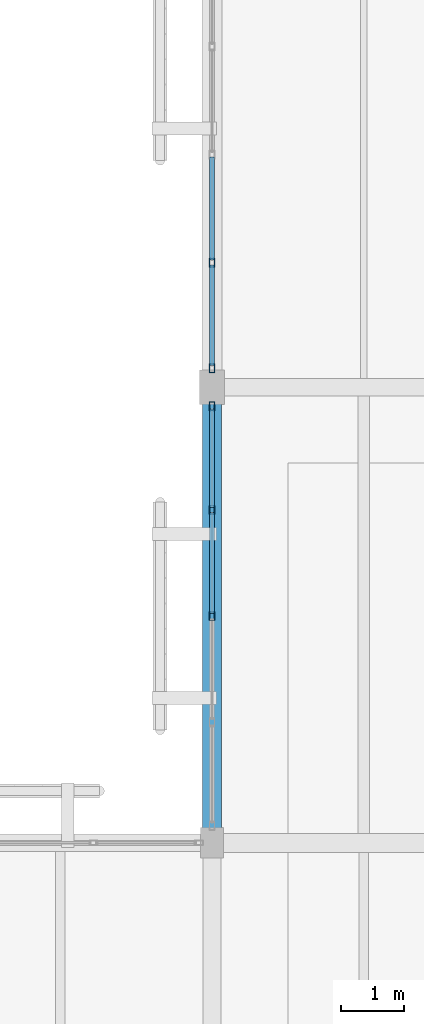
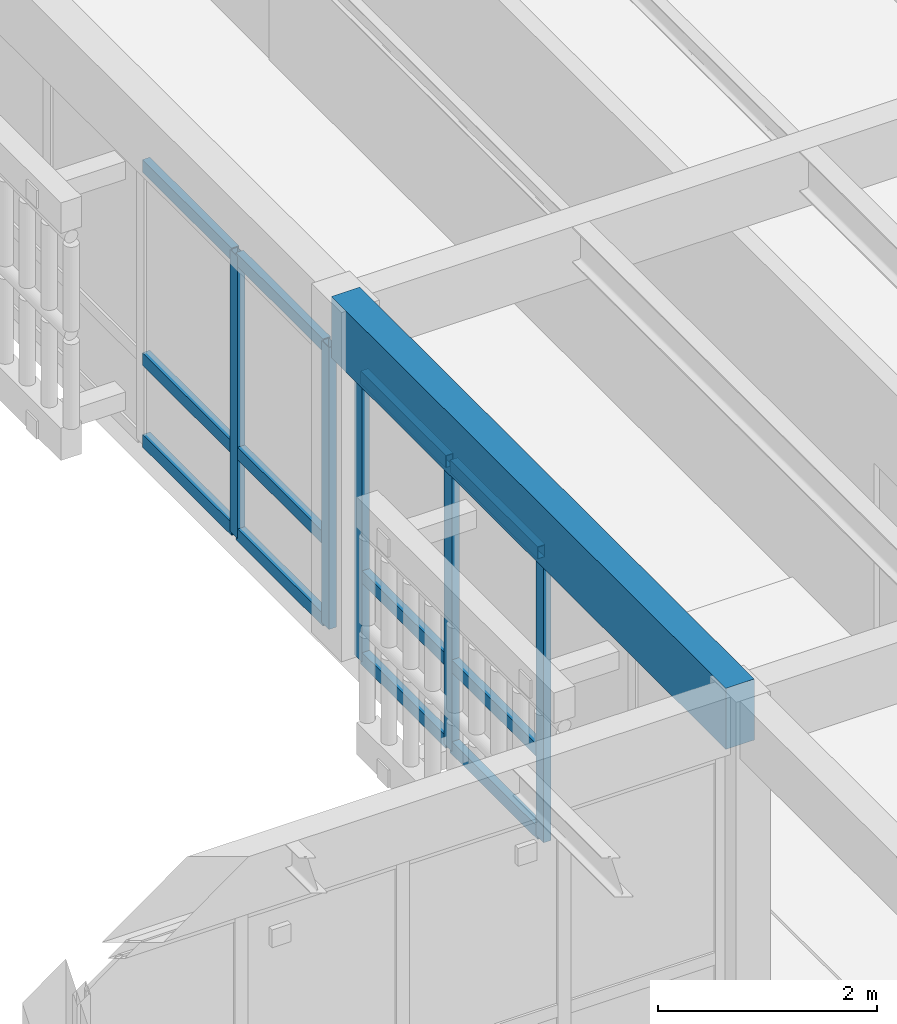
# One storey, part 28 of 217: 17 members, 1 beam, 2 elements without a shape of their own.
"""IFC4 building model written with IfcOpenShell, lengths in metres."""

import ifcopenshell
import ifcopenshell.guid

model = None  # the IFC model being written
_history = None  # IfcOwnerHistory: only IFC2X3 demands one
_inside = {}  # id of a spatial element -> (the spatial element, [elements in it])
_under = {}  # id of a project, library or spatial element -> (it, [spatial elements below it])
_declared = {}  # id of a project -> (the project, [libraries it declares])
_typed = {}  # id of a type object -> (the type object, [elements of that type])
_made_of = {}  # id of a material, layer set ... -> (it, [elements and type objects made of it])


def new_model(schema):
    """Start an empty IFC model of exactly this schema.

    Asked for "IFC4X3", IfcOpenShell would pick the latest addendum, in which some entities
    have other attributes; the version numbers below select the first issue.
    IFC2X3 requires an IfcOwnerHistory on every rooted entity: one is made here for all.
    """
    global model, _history
    if schema == "IFC4X3":
        model = ifcopenshell.file(schema_version=(4, 3, 0, 0))
    else:
        model = ifcopenshell.file(schema=schema)
    _inside.clear()
    _under.clear()
    _declared.clear()
    _typed.clear()
    _made_of.clear()
    _history = None
    if model.schema == "IFC2X3":
        org = make("IfcOrganization", Name="unknown")
        user = make(
            "IfcPersonAndOrganization",
            ThePerson=make("IfcPerson", FamilyName="unknown"),
            TheOrganization=org,
        )
        app = make(
            "IfcApplication",
            ApplicationDeveloper=org,
            Version="unknown",
            ApplicationFullName="unknown",
            ApplicationIdentifier="unknown",
        )
        _history = make(
            "IfcOwnerHistory",
            OwningUser=user,
            OwningApplication=app,
            ChangeAction="ADDED",
            CreationDate=0,
        )
    return model


def make(cls, **values):
    """One entity of the class cls with the attributes given. An attribute that is None is left unset."""
    return model.create_entity(
        cls, **{name: value for name, value in values.items() if value is not None}
    )


def rooted(cls, **values):
    """An entity with a GlobalId (a new one), such as an element, a storey or a relation."""
    return make(cls, GlobalId=ifcopenshell.guid.new(), OwnerHistory=_history, **values)


def si_unit(unit_type, name, prefix=None):
    """IfcSIUnit, for example si_unit("LENGTHUNIT", "METRE", prefix="MILLI")."""
    return make("IfcSIUnit", UnitType=unit_type, Prefix=prefix, Name=name)


def assignment(units):
    """IfcUnitAssignment: the units of a project."""
    return None if units is None else make("IfcUnitAssignment", Units=units)


def point(xyz):
    """IfcCartesianPoint."""
    return None if xyz is None else make("IfcCartesianPoint", Coordinates=xyz)


def direction(xyz):
    """IfcDirection."""
    return None if xyz is None else make("IfcDirection", DirectionRatios=xyz)


def frame(location, z_axis=None, x_axis=None):
    """IfcAxis2Placement3D, a coordinate frame: its origin and axes. An axis left out is left unset."""
    return make(
        "IfcAxis2Placement3D",
        Location=point(location),
        Axis=direction(z_axis),
        RefDirection=direction(x_axis),
    )


def frame_2d(location, x_axis=None):
    """IfcAxis2Placement2D, a coordinate frame in the plane: its origin and x axis."""
    return make(
        "IfcAxis2Placement2D", Location=point(location), RefDirection=direction(x_axis)
    )


def origin():
    """The frame at (0, 0, 0) with its axes left unset."""
    return frame((0.0, 0.0, 0.0))


def origin_2d():
    """The frame at (0, 0) in the plane with its x axis left unset."""
    return frame_2d((0.0, 0.0))


def place(relative_to, where):
    """IfcLocalPlacement: puts the frame where relative to a parent placement (None: the world)."""
    return make(
        "IfcLocalPlacement", PlacementRelTo=relative_to, RelativePlacement=where
    )


def context(
    kind, dimensions, precision=None, world=None, true_north=None, identifier=None
):
    """IfcGeometricRepresentationContext, for example the 3D "Model" context."""
    return make(
        "IfcGeometricRepresentationContext",
        ContextIdentifier=identifier,
        ContextType=kind,
        CoordinateSpaceDimension=dimensions,
        Precision=precision,
        WorldCoordinateSystem=world,
        TrueNorth=true_north,
    )


def subcontext(parent, identifier, kind, view, scale=None):
    """IfcGeometricRepresentationSubContext, for example "Body" below "Model"."""
    return make(
        "IfcGeometricRepresentationSubContext",
        ContextIdentifier=identifier,
        ContextType=kind,
        ParentContext=parent,
        TargetScale=scale,
        TargetView=view,
    )


def project(units=None, contexts=None):
    """IfcProject with its units and contexts."""
    return rooted(
        "IfcProject",
        Name="project",
        RepresentationContexts=contexts,
        UnitsInContext=assignment(units),
    )


def spatial(cls, under=None, at=None, **own):
    """A site, building, storey or space (cls), placed at a placement, below another one or the project."""
    s = rooted(cls, ObjectPlacement=at, **own)
    if under is not None:
        _under.setdefault(under.id(), (under, []))[1].append(s)
    return s


def profile(cls, at=None, kind="AREA", **sizes):
    """A parametric profile (cls). Its sizes go by their IFC names, for example OverallWidth=200.0."""
    return make(cls, ProfileType=kind, Position=at, **sizes)


def rectangle(**sizes):
    """IfcRectangleProfileDef."""
    return profile("IfcRectangleProfileDef", **sizes)


def hollow_rectangle(**sizes):
    """IfcRectangleHollowProfileDef."""
    return profile("IfcRectangleHollowProfileDef", **sizes)


def extrude(swept, where, along, depth):
    """IfcExtrudedAreaSolid: the profile swept, set in the frame where, extruded along a direction by depth."""
    return make(
        "IfcExtrudedAreaSolid",
        SweptArea=swept,
        Position=where,
        ExtrudedDirection=direction(along),
        Depth=depth,
    )


def shape(context_of_items, identifier, shape_type, items):
    """IfcShapeRepresentation: the items that make up one representation, for example the "Body"."""
    return make(
        "IfcShapeRepresentation",
        ContextOfItems=context_of_items,
        RepresentationIdentifier=identifier,
        RepresentationType=shape_type,
        Items=items,
    )


def material(Name=None, Category=None):
    """IfcMaterial."""
    return make("IfcMaterial", Name=Name, Category=Category)


def layer(
    of_material, thickness, ventilated=None, Name=None, Category=None, Priority=None
):
    """IfcMaterialLayer: one layer of a wall or slab, of a material (None: an air gap)."""
    return make(
        "IfcMaterialLayer",
        Material=of_material,
        LayerThickness=thickness,
        IsVentilated=ventilated,
        Name=Name,
        Category=Category,
        Priority=Priority,
    )


def layer_set(layers, Name=None):
    """IfcMaterialLayerSet."""
    return make("IfcMaterialLayerSet", MaterialLayers=layers, LayerSetName=Name)


def material_profile(
    of_material, cross_section, Name=None, Category=None, Priority=None
):
    """IfcMaterialProfile: a cross section and its material."""
    return make(
        "IfcMaterialProfile",
        Name=Name,
        Material=of_material,
        Profile=cross_section,
        Priority=Priority,
        Category=Category,
    )


def profile_set(profiles, Name=None, composite=None):
    """IfcMaterialProfileSet."""
    return make(
        "IfcMaterialProfileSet",
        Name=Name,
        MaterialProfiles=profiles,
        CompositeProfile=composite,
    )


def made_of(thing, what):
    """Note that an element or type object is made of a material, layer set ...; save() writes the relation."""
    if what is not None:
        _made_of.setdefault(what.id(), (what, []))[1].append(thing)
    return thing


def type_object(cls, material=None, **own):
    """A type object (cls), such as IfcWallType, which elements share."""
    return made_of(rooted(cls, **own), material)


def element(
    cls,
    number,
    at=None,
    inside=None,
    cuts=None,
    type_object=None,
    material=None,
    context=None,
    identifier="Body",
    shape_type=None,
    held_by="IfcProductDefinitionShape",
    body=None,
    shapes=None,
    **own,
):
    """One element of the class cls, such as IfcWall. Its Tag is "e" and its number.

    at: its placement. inside: the storey or other place that contains it. cuts: it is an
    opening in that element (IfcRelVoidsElement). A single representation is given by context,
    identifier, shape_type and body (its items); several are given by shapes. held_by: the class
    of the entity that holds the representations. save() writes the other relations.
    """
    e = rooted(cls, Tag="e%d" % number, ObjectPlacement=at, **own)
    if body is not None:
        shapes = [shape(context, identifier, shape_type, body)]
    if shapes is not None:
        e.Representation = make(held_by, Representations=shapes)
    if inside is not None:
        _inside.setdefault(inside.id(), (inside, []))[1].append(e)
    if cuts is not None:
        rooted(
            "IfcRelVoidsElement", RelatingBuildingElement=cuts, RelatedOpeningElement=e
        )
    if type_object is not None:
        _typed.setdefault(type_object.id(), (type_object, []))[1].append(e)
    return made_of(e, material)


def aggregate(whole, parts):
    """IfcRelAggregates: a whole, such as a stair, and the parts it consists of."""
    return rooted("IfcRelAggregates", RelatingObject=whole, RelatedObjects=parts)


def save(model, path):
    """Write the relations noted so far, then the file.

    IfcRelAggregates (storeys below a building ...), IfcRelContainedInSpatialStructure (elements
    in a storey), IfcRelDefinesByType, IfcRelAssociatesMaterial and IfcRelDeclares: one each for
    every whole, place, type object, material and project.
    """
    for whole, parts in _under.values():
        aggregate(whole, parts)
    for where, things in _inside.values():
        rooted(
            "IfcRelContainedInSpatialStructure",
            RelatedElements=things,
            RelatingStructure=where,
        )
    for kind, things in _typed.values():
        rooted("IfcRelDefinesByType", RelatedObjects=things, RelatingType=kind)
    for what, things in _made_of.values():
        rooted("IfcRelAssociatesMaterial", RelatedObjects=things, RelatingMaterial=what)
    for by, libraries in _declared.values():
        rooted("IfcRelDeclares", RelatingContext=by, RelatedDefinitions=libraries)
    model.write(path)


model = new_model("IFC4")

# Units and contexts
model_context = context("Model", 3, precision=1e-05, world=origin(), true_north=direction((0.0, 1.0)))
body_context = subcontext(model_context, "Body", "Model", "MODEL_VIEW")
ifc_project = project(units=[si_unit("LENGTHUNIT", "METRE"), si_unit("AREAUNIT", "SQUARE_METRE"), si_unit("VOLUMEUNIT", "CUBIC_METRE"), si_unit("PLANEANGLEUNIT", "RADIAN"), si_unit("MASSUNIT", "GRAM", prefix="KILO")], contexts=[model_context])

# Site, building, storey
site_placement = place(None, origin())
site = spatial("IfcSite", under=ifc_project, at=site_placement, CompositionType="ELEMENT")
building_placement = place(site_placement, origin())
building = spatial("IfcBuilding", under=site, at=building_placement, Name="Mazaris Harbour Polytechnic", CompositionType="ELEMENT")
storey_placement = place(building_placement, frame((0.0, 0.0, 9.60009765625)))
storey = spatial("IfcBuildingStorey", under=building, at=storey_placement, Name="L02", CompositionType="ELEMENT", Elevation=9.60009765625)

# Curtain wall, members
ifc_material_1 = material(Name="Anodised Bronze Aluminium and Low-E Glass", Category="aluminium")
ifc_layer = layer(ifc_material_1, 0.159912109375, Name="Anodised Bronze Aluminium and Low-E Glass")
ifc_layer_set = layer_set([ifc_layer], Name="Anodised Bronze Aluminium and Low-E Glass")
curtain_wall_type = type_object("IfcCurtainWallType", Name="Cloister Court Curtain Wall", PredefinedType="NOTDEFINED", material=ifc_layer_set)
curtain_wall_1_placement = place(storey_placement, origin())
curtain_wall_1 = element("IfcCurtainWall", 1, at=curtain_wall_1_placement, inside=storey, type_object=curtain_wall_type, Name="V4 L02 Curtain Wall 141", PredefinedType="NOTDEFINED")
ifc_material_2 = material(Name="Anodised Bronze Steel S355", Category="steel")
ifc_material_profile_1 = material_profile(ifc_material_2, hollow_rectangle(XDim=0.080078125, YDim=0.139892578125, WallThickness=0.00634765625, at=origin_2d()), Name="RHS 80x140x6.3")
ifc_profile_set_1 = profile_set([ifc_material_profile_1], Name="Anodised Bronze Steel S355")
member_type_1 = type_object("IfcMemberType", Name="Curtain Mullion RHS80x140", PredefinedType="MULLION", material=ifc_profile_set_1)
member_1_placement = place(storey_placement, frame((28.800048828125, 42.89794921875, 0.0), z_axis=(0.0, 0.0, 1.0), x_axis=(1.0, 0.0, 0.0)))
member_1 = element("IfcMember", 2, at=member_1_placement, type_object=member_type_1, Name="CW-02 mullion 1", PredefinedType="MULLION", context=body_context, shape_type="SweptSolid", body=[
    extrude(hollow_rectangle(XDim=0.080078125, YDim=0.139892578125, WallThickness=0.00634765625, at=origin_2d()), origin(), (0.0, 0.0, 1.0), 3.199951171875),
])
member_2_placement = place(storey_placement, frame((28.800048828125, 41.261474609375, 0.0), z_axis=(0.0, 0.0, 1.0), x_axis=(1.0, 0.0, 0.0)))
member_2 = element("IfcMember", 3, at=member_2_placement, type_object=member_type_1, Name="CW-02 mullion 2", PredefinedType="MULLION", context=body_context, shape_type="SweptSolid", body=[
    extrude(hollow_rectangle(XDim=0.080078125, YDim=0.139892578125, WallThickness=0.00634765625, at=origin_2d()), origin(), (0.0, 0.0, 1.0), 3.199951171875),
])
member_3_placement = place(storey_placement, frame((28.800048828125, 39.5849609375, 0.0), z_axis=(0.0, 0.0, 1.0), x_axis=(1.0, 0.0, 0.0)))
member_3 = element("IfcMember", 4, at=member_3_placement, type_object=member_type_1, Name="CW-02 mullion 3", PredefinedType="MULLION", context=body_context, shape_type="SweptSolid", body=[
    extrude(hollow_rectangle(XDim=0.080078125, YDim=0.139892578125, WallThickness=0.00634765625, at=origin_2d()), origin(), (0.0, 0.0, 1.0), 3.199951171875),
])

curtain_wall_2_placement = place(storey_placement, origin())
curtain_wall_2 = element("IfcCurtainWall", 5, at=curtain_wall_2_placement, inside=storey, type_object=curtain_wall_type, Name="V4 L02 Curtain Wall 142", PredefinedType="NOTDEFINED")
member_4_placement = place(storey_placement, frame((28.800048828125, 45.169677734375, 0.0), z_axis=(0.0, 0.0, 1.0), x_axis=(1.0, 0.0, 0.0)))
member_4 = element("IfcMember", 6, at=member_4_placement, type_object=member_type_1, Name="CW-02 mullion 6", PredefinedType="MULLION", context=body_context, shape_type="SweptSolid", body=[
    extrude(hollow_rectangle(XDim=0.080078125, YDim=0.139892578125, WallThickness=0.00634765625, at=origin_2d()), origin(), (0.0, 0.0, 1.0), 3.139892578125),
])
member_5_placement = place(storey_placement, frame((28.800048828125, 43.501953125, 0.0), z_axis=(0.0, 0.0, 1.0), x_axis=(1.0, 0.0, 0.0)))
member_5 = element("IfcMember", 7, at=member_5_placement, type_object=member_type_1, Name="CW-02 mullion 7", PredefinedType="MULLION", context=body_context, shape_type="SweptSolid", body=[
    extrude(hollow_rectangle(XDim=0.080078125, YDim=0.139892578125, WallThickness=0.00634765625, at=origin_2d()), origin(), (0.0, 0.0, 1.0), 3.139892578125),
])

# Member
ifc_material_3 = material(Name="Anodised Bronze Steel S355", Category="steel")
ifc_material_profile_2 = material_profile(ifc_material_3, hollow_rectangle(XDim=0.080078125, YDim=0.139892578125, WallThickness=0.00634765625, at=origin_2d()), Name="RHS 80x140x6.3")
ifc_profile_set_2 = profile_set([ifc_material_profile_2], Name="Anodised Bronze Steel S355")
member_type_2 = type_object("IfcMemberType", Name="Curtain Transom RHS80x140", PredefinedType="USERDEFINED", material=ifc_profile_set_2)
member_6_placement = place(storey_placement, frame((28.800048828125, 42.85791015625, 0.039794921875), z_axis=(0.0, -1.0, 0.0), x_axis=(1.0, 0.0, 0.0)))
member_6 = element("IfcMember", 8, at=member_6_placement, type_object=member_type_2, Name="CW-02 transom 1.1", ObjectType="TRANSOM", PredefinedType="USERDEFINED", context=body_context, shape_type="SweptSolid", body=[
    extrude(hollow_rectangle(XDim=0.080078125, YDim=0.139892578125, WallThickness=0.00634765625, at=origin_2d()), origin(), (0.0, 0.0, 1.0), 1.556396484375),
])

member_7_placement = place(storey_placement, frame((28.800048828125, 42.85791015625, 0.949951171875), z_axis=(0.0, -1.0, 0.0), x_axis=(1.0, 0.0, 0.0)))
member_7 = element("IfcMember", 9, at=member_7_placement, type_object=member_type_2, Name="CW-02 transom 1.2", ObjectType="TRANSOM", PredefinedType="USERDEFINED", context=body_context, shape_type="SweptSolid", body=[
    extrude(hollow_rectangle(XDim=0.080078125, YDim=0.139892578125, WallThickness=0.00634765625, at=origin_2d()), origin(), (0.0, 0.0, 1.0), 1.556396484375),
])

member_8_placement = place(storey_placement, frame((28.800048828125, 42.85791015625, 3.159912109375), z_axis=(0.0, -1.0, 0.0), x_axis=(1.0, 0.0, 0.0)))
member_8 = element("IfcMember", 10, at=member_8_placement, type_object=member_type_2, Name="CW-02 transom 1.3", ObjectType="TRANSOM", PredefinedType="USERDEFINED", context=body_context, shape_type="SweptSolid", body=[
    extrude(hollow_rectangle(XDim=0.080078125, YDim=0.139892578125, WallThickness=0.00634765625, at=origin_2d()), origin(), (0.0, 0.0, 1.0), 1.556396484375),
])

member_9_placement = place(storey_placement, frame((28.800048828125, 41.221435546875, 0.039794921875), z_axis=(0.0, -1.0, 0.0), x_axis=(1.0, 0.0, 0.0)))
member_9 = element("IfcMember", 11, at=member_9_placement, type_object=member_type_2, Name="CW-02 transom 2.1", ObjectType="TRANSOM", PredefinedType="USERDEFINED", context=body_context, shape_type="SweptSolid", body=[
    extrude(hollow_rectangle(XDim=0.080078125, YDim=0.139892578125, WallThickness=0.00634765625, at=origin_2d()), origin(), (0.0, 0.0, 1.0), 1.596435546875),
])

member_10_placement = place(storey_placement, frame((28.800048828125, 41.221435546875, 0.949951171875), z_axis=(0.0, -1.0, 0.0), x_axis=(1.0, 0.0, 0.0)))
member_10 = element("IfcMember", 12, at=member_10_placement, type_object=member_type_2, Name="CW-02 transom 2.2", ObjectType="TRANSOM", PredefinedType="USERDEFINED", context=body_context, shape_type="SweptSolid", body=[
    extrude(hollow_rectangle(XDim=0.080078125, YDim=0.139892578125, WallThickness=0.00634765625, at=origin_2d()), origin(), (0.0, 0.0, 1.0), 1.596435546875),
])

member_11_placement = place(storey_placement, frame((28.800048828125, 41.221435546875, 3.159912109375), z_axis=(0.0, -1.0, 0.0), x_axis=(1.0, 0.0, 0.0)))
member_11 = element("IfcMember", 13, at=member_11_placement, type_object=member_type_2, Name="CW-02 transom 2.3", ObjectType="TRANSOM", PredefinedType="USERDEFINED", context=body_context, shape_type="SweptSolid", body=[
    extrude(hollow_rectangle(XDim=0.080078125, YDim=0.139892578125, WallThickness=0.00634765625, at=origin_2d()), origin(), (0.0, 0.0, 1.0), 1.596435546875),
])

aggregate(curtain_wall_1, [member_1, member_2, member_3, member_6, member_7, member_8, member_9, member_10, member_11])

member_12_placement = place(storey_placement, frame((28.800048828125, 46.83740234375, 0.039794921875), z_axis=(0.0, -1.0, 0.0), x_axis=(1.0, 0.0, 0.0)))
member_12 = element("IfcMember", 14, at=member_12_placement, type_object=member_type_2, Name="CW-02 transom 5.1", ObjectType="TRANSOM", PredefinedType="USERDEFINED", context=body_context, shape_type="SweptSolid", body=[
    extrude(hollow_rectangle(XDim=0.080078125, YDim=0.139892578125, WallThickness=0.00634765625, at=origin_2d()), origin(), (0.0, 0.0, 1.0), 1.627685546875),
])

member_13_placement = place(storey_placement, frame((28.800048828125, 46.83740234375, 0.949951171875), z_axis=(0.0, -1.0, 0.0), x_axis=(1.0, 0.0, 0.0)))
member_13 = element("IfcMember", 15, at=member_13_placement, type_object=member_type_2, Name="CW-02 transom 5.2", ObjectType="TRANSOM", PredefinedType="USERDEFINED", context=body_context, shape_type="SweptSolid", body=[
    extrude(hollow_rectangle(XDim=0.080078125, YDim=0.139892578125, WallThickness=0.00634765625, at=origin_2d()), origin(), (0.0, 0.0, 1.0), 1.627685546875),
])

member_14_placement = place(storey_placement, frame((28.800048828125, 46.83740234375, 3.099853515625), z_axis=(0.0, -1.0, 0.0), x_axis=(1.0, 0.0, 0.0)))
member_14 = element("IfcMember", 16, at=member_14_placement, type_object=member_type_2, Name="CW-02 transom 5.3", ObjectType="TRANSOM", PredefinedType="USERDEFINED", context=body_context, shape_type="SweptSolid", body=[
    extrude(hollow_rectangle(XDim=0.080078125, YDim=0.139892578125, WallThickness=0.00634765625, at=origin_2d()), origin(), (0.0, 0.0, 1.0), 1.627685546875),
])

member_15_placement = place(storey_placement, frame((28.800048828125, 45.129638671875, 0.039794921875), z_axis=(0.0, -1.0, 0.0), x_axis=(1.0, 0.0, 0.0)))
member_15 = element("IfcMember", 17, at=member_15_placement, type_object=member_type_2, Name="CW-02 transom 6.1", ObjectType="TRANSOM", PredefinedType="USERDEFINED", context=body_context, shape_type="SweptSolid", body=[
    extrude(hollow_rectangle(XDim=0.080078125, YDim=0.139892578125, WallThickness=0.00634765625, at=origin_2d()), origin(), (0.0, 0.0, 1.0), 1.587646484375),
])

member_16_placement = place(storey_placement, frame((28.800048828125, 45.129638671875, 0.949951171875), z_axis=(0.0, -1.0, 0.0), x_axis=(1.0, 0.0, 0.0)))
member_16 = element("IfcMember", 18, at=member_16_placement, type_object=member_type_2, Name="CW-02 transom 6.2", ObjectType="TRANSOM", PredefinedType="USERDEFINED", context=body_context, shape_type="SweptSolid", body=[
    extrude(hollow_rectangle(XDim=0.080078125, YDim=0.139892578125, WallThickness=0.00634765625, at=origin_2d()), origin(), (0.0, 0.0, 1.0), 1.587646484375),
])

member_17_placement = place(storey_placement, frame((28.800048828125, 45.129638671875, 3.099853515625), z_axis=(0.0, -1.0, 0.0), x_axis=(1.0, 0.0, 0.0)))
member_17 = element("IfcMember", 19, at=member_17_placement, type_object=member_type_2, Name="CW-02 transom 6.3", ObjectType="TRANSOM", PredefinedType="USERDEFINED", context=body_context, shape_type="SweptSolid", body=[
    extrude(hollow_rectangle(XDim=0.080078125, YDim=0.139892578125, WallThickness=0.00634765625, at=origin_2d()), origin(), (0.0, 0.0, 1.0), 1.587646484375),
])

aggregate(curtain_wall_2, [member_4, member_5, member_12, member_13, member_14, member_15, member_16, member_17])

# Beam
ifc_material_4 = material(Name="Glulam GL32h", Category="wood")
ifc_material_profile_3 = material_profile(ifc_material_4, rectangle(XDim=0.300048828125, YDim=0.679931640625, at=origin_2d()), Name="RECT300x680")
ifc_profile_set_3 = profile_set([ifc_material_profile_3], Name="Glulam GL32h")
beam_type = type_object("IfcBeamType", Name="Glulam Girder 300x680", PredefinedType="BEAM", material=ifc_profile_set_3)
beam_placement = place(storey_placement, frame((28.800048828125, 36.0, 3.5498046875), z_axis=(0.0, 1.0, 0.0), x_axis=(-1.0, 0.0, 0.0)))
element("IfcBeam", 20, at=beam_placement, inside=storey, type_object=beam_type, Name="V4 L02 Tie Girder 2013", PredefinedType="BEAM", context=body_context, shape_type="SweptSolid", body=[
    extrude(rectangle(XDim=0.300048828125, YDim=0.679931640625, at=origin_2d()), origin(), (0.0, 0.0, 1.0), 7.199951171875),
])

save(model, "model.ifc")
